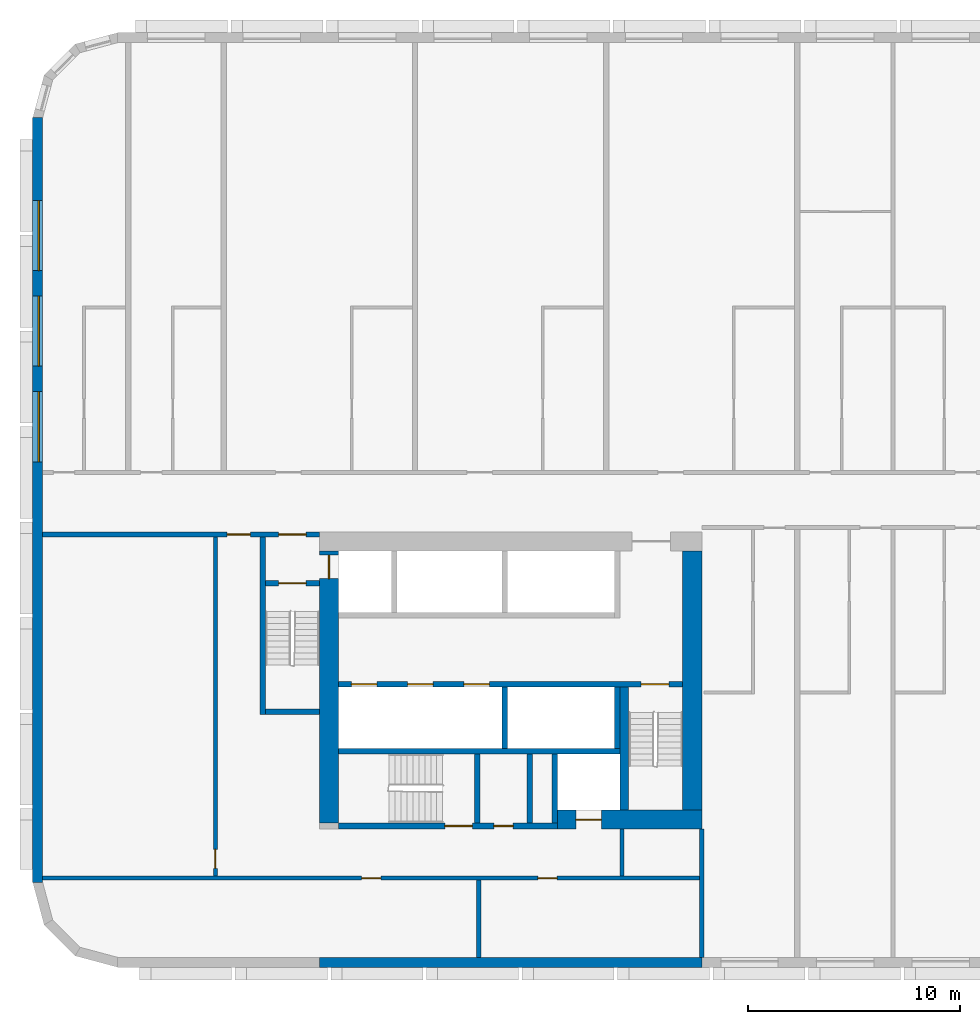
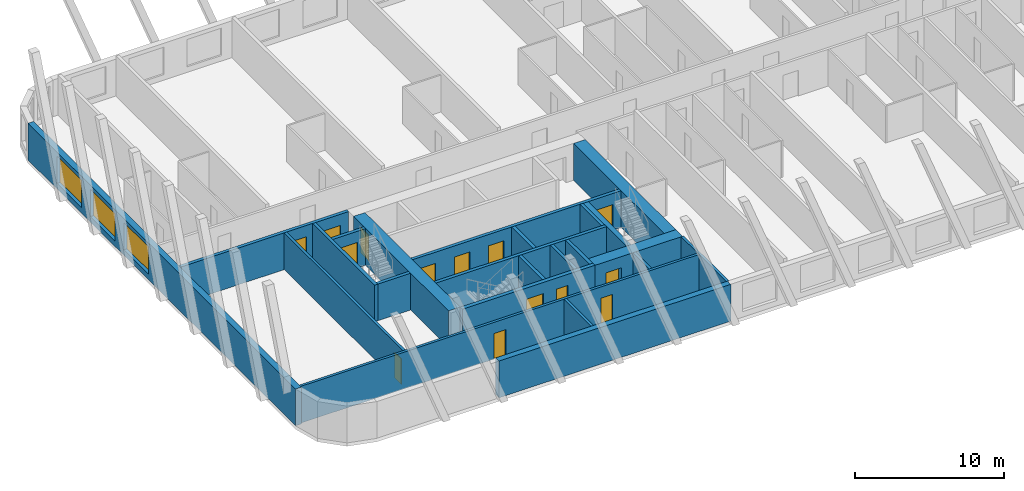
# One storey, part 2 of 13: 23 walls, 14 doors, 3 windows, 17 openings.
"""IFC4 building model written with IfcOpenShell, lengths in metres."""

import ifcopenshell
import ifcopenshell.guid

model = None  # the IFC model being written
_history = None  # IfcOwnerHistory: only IFC2X3 demands one
_inside = {}  # id of a spatial element -> (the spatial element, [elements in it])
_under = {}  # id of a project, library or spatial element -> (it, [spatial elements below it])
_declared = {}  # id of a project -> (the project, [libraries it declares])
_typed = {}  # id of a type object -> (the type object, [elements of that type])
_made_of = {}  # id of a material, layer set ... -> (it, [elements and type objects made of it])


def new_model(schema):
    """Start an empty IFC model of exactly this schema.

    Asked for "IFC4X3", IfcOpenShell would pick the latest addendum, in which some entities
    have other attributes; the version numbers below select the first issue.
    IFC2X3 requires an IfcOwnerHistory on every rooted entity: one is made here for all.
    """
    global model, _history
    if schema == "IFC4X3":
        model = ifcopenshell.file(schema_version=(4, 3, 0, 0))
    else:
        model = ifcopenshell.file(schema=schema)
    _inside.clear()
    _under.clear()
    _declared.clear()
    _typed.clear()
    _made_of.clear()
    _history = None
    if model.schema == "IFC2X3":
        org = make("IfcOrganization", Name="unknown")
        user = make(
            "IfcPersonAndOrganization",
            ThePerson=make("IfcPerson", FamilyName="unknown"),
            TheOrganization=org,
        )
        app = make(
            "IfcApplication",
            ApplicationDeveloper=org,
            Version="unknown",
            ApplicationFullName="unknown",
            ApplicationIdentifier="unknown",
        )
        _history = make(
            "IfcOwnerHistory",
            OwningUser=user,
            OwningApplication=app,
            ChangeAction="ADDED",
            CreationDate=0,
        )
    return model


def make(cls, **values):
    """One entity of the class cls with the attributes given. An attribute that is None is left unset."""
    return model.create_entity(
        cls, **{name: value for name, value in values.items() if value is not None}
    )


def rooted(cls, **values):
    """An entity with a GlobalId (a new one), such as an element, a storey or a relation."""
    return make(cls, GlobalId=ifcopenshell.guid.new(), OwnerHistory=_history, **values)


def si_unit(unit_type, name, prefix=None):
    """IfcSIUnit, for example si_unit("LENGTHUNIT", "METRE", prefix="MILLI")."""
    return make("IfcSIUnit", UnitType=unit_type, Prefix=prefix, Name=name)


def assignment(units):
    """IfcUnitAssignment: the units of a project."""
    return None if units is None else make("IfcUnitAssignment", Units=units)


def point(xyz):
    """IfcCartesianPoint."""
    return None if xyz is None else make("IfcCartesianPoint", Coordinates=xyz)


def direction(xyz):
    """IfcDirection."""
    return None if xyz is None else make("IfcDirection", DirectionRatios=xyz)


def frame(location, z_axis=None, x_axis=None):
    """IfcAxis2Placement3D, a coordinate frame: its origin and axes. An axis left out is left unset."""
    return make(
        "IfcAxis2Placement3D",
        Location=point(location),
        Axis=direction(z_axis),
        RefDirection=direction(x_axis),
    )


def frame_2d(location, x_axis=None):
    """IfcAxis2Placement2D, a coordinate frame in the plane: its origin and x axis."""
    return make(
        "IfcAxis2Placement2D", Location=point(location), RefDirection=direction(x_axis)
    )


def origin():
    """The frame at (0, 0, 0) with its axes left unset."""
    return frame((0.0, 0.0, 0.0))


def place(relative_to, where):
    """IfcLocalPlacement: puts the frame where relative to a parent placement (None: the world)."""
    return make(
        "IfcLocalPlacement", PlacementRelTo=relative_to, RelativePlacement=where
    )


def context(
    kind, dimensions, precision=None, world=None, true_north=None, identifier=None
):
    """IfcGeometricRepresentationContext, for example the 3D "Model" context."""
    return make(
        "IfcGeometricRepresentationContext",
        ContextIdentifier=identifier,
        ContextType=kind,
        CoordinateSpaceDimension=dimensions,
        Precision=precision,
        WorldCoordinateSystem=world,
        TrueNorth=true_north,
    )


def subcontext(parent, identifier, kind, view, scale=None):
    """IfcGeometricRepresentationSubContext, for example "Body" below "Model"."""
    return make(
        "IfcGeometricRepresentationSubContext",
        ContextIdentifier=identifier,
        ContextType=kind,
        ParentContext=parent,
        TargetScale=scale,
        TargetView=view,
    )


def project(units=None, contexts=None):
    """IfcProject with its units and contexts."""
    return rooted(
        "IfcProject",
        Name="project",
        RepresentationContexts=contexts,
        UnitsInContext=assignment(units),
    )


def spatial(cls, under=None, at=None, **own):
    """A site, building, storey or space (cls), placed at a placement, below another one or the project."""
    s = rooted(cls, ObjectPlacement=at, **own)
    if under is not None:
        _under.setdefault(under.id(), (under, []))[1].append(s)
    return s


def profile(cls, at=None, kind="AREA", **sizes):
    """A parametric profile (cls). Its sizes go by their IFC names, for example OverallWidth=200.0."""
    return make(cls, ProfileType=kind, Position=at, **sizes)


def rectangle(**sizes):
    """IfcRectangleProfileDef."""
    return profile("IfcRectangleProfileDef", **sizes)


def extrude(swept, where, along, depth):
    """IfcExtrudedAreaSolid: the profile swept, set in the frame where, extruded along a direction by depth."""
    return make(
        "IfcExtrudedAreaSolid",
        SweptArea=swept,
        Position=where,
        ExtrudedDirection=direction(along),
        Depth=depth,
    )


def shape(context_of_items, identifier, shape_type, items):
    """IfcShapeRepresentation: the items that make up one representation, for example the "Body"."""
    return make(
        "IfcShapeRepresentation",
        ContextOfItems=context_of_items,
        RepresentationIdentifier=identifier,
        RepresentationType=shape_type,
        Items=items,
    )


def material(Name=None, Category=None):
    """IfcMaterial."""
    return make("IfcMaterial", Name=Name, Category=Category)


def layer(
    of_material, thickness, ventilated=None, Name=None, Category=None, Priority=None
):
    """IfcMaterialLayer: one layer of a wall or slab, of a material (None: an air gap)."""
    return make(
        "IfcMaterialLayer",
        Material=of_material,
        LayerThickness=thickness,
        IsVentilated=ventilated,
        Name=Name,
        Category=Category,
        Priority=Priority,
    )


def layer_set(layers, Name=None):
    """IfcMaterialLayerSet."""
    return make("IfcMaterialLayerSet", MaterialLayers=layers, LayerSetName=Name)


def made_of(thing, what):
    """Note that an element or type object is made of a material, layer set ...; save() writes the relation."""
    if what is not None:
        _made_of.setdefault(what.id(), (what, []))[1].append(thing)
    return thing


def type_object(cls, material=None, **own):
    """A type object (cls), such as IfcWallType, which elements share."""
    return made_of(rooted(cls, **own), material)


def element(
    cls,
    number,
    at=None,
    inside=None,
    cuts=None,
    type_object=None,
    material=None,
    context=None,
    identifier="Body",
    shape_type=None,
    held_by="IfcProductDefinitionShape",
    body=None,
    shapes=None,
    **own,
):
    """One element of the class cls, such as IfcWall. Its Tag is "e" and its number.

    at: its placement. inside: the storey or other place that contains it. cuts: it is an
    opening in that element (IfcRelVoidsElement). A single representation is given by context,
    identifier, shape_type and body (its items); several are given by shapes. held_by: the class
    of the entity that holds the representations. save() writes the other relations.
    """
    e = rooted(cls, Tag="e%d" % number, ObjectPlacement=at, **own)
    if body is not None:
        shapes = [shape(context, identifier, shape_type, body)]
    if shapes is not None:
        e.Representation = make(held_by, Representations=shapes)
    if inside is not None:
        _inside.setdefault(inside.id(), (inside, []))[1].append(e)
    if cuts is not None:
        rooted(
            "IfcRelVoidsElement", RelatingBuildingElement=cuts, RelatedOpeningElement=e
        )
    if type_object is not None:
        _typed.setdefault(type_object.id(), (type_object, []))[1].append(e)
    return made_of(e, material)


def fill(opening, filler):
    """IfcRelFillsElement: the door or window that sits in an opening."""
    return rooted(
        "IfcRelFillsElement",
        RelatingOpeningElement=opening,
        RelatedBuildingElement=filler,
    )


def aggregate(whole, parts):
    """IfcRelAggregates: a whole, such as a stair, and the parts it consists of."""
    return rooted("IfcRelAggregates", RelatingObject=whole, RelatedObjects=parts)


def save(model, path):
    """Write the relations noted so far, then the file.

    IfcRelAggregates (storeys below a building ...), IfcRelContainedInSpatialStructure (elements
    in a storey), IfcRelDefinesByType, IfcRelAssociatesMaterial and IfcRelDeclares: one each for
    every whole, place, type object, material and project.
    """
    for whole, parts in _under.values():
        aggregate(whole, parts)
    for where, things in _inside.values():
        rooted(
            "IfcRelContainedInSpatialStructure",
            RelatedElements=things,
            RelatingStructure=where,
        )
    for kind, things in _typed.values():
        rooted("IfcRelDefinesByType", RelatedObjects=things, RelatingType=kind)
    for what, things in _made_of.values():
        rooted("IfcRelAssociatesMaterial", RelatedObjects=things, RelatingMaterial=what)
    for by, libraries in _declared.values():
        rooted("IfcRelDeclares", RelatingContext=by, RelatedDefinitions=libraries)
    model.write(path)


model = new_model("IFC4")

# Units and contexts
model_context = context("Model", 3, precision=1e-05, world=origin(), true_north=direction((0.0, 1.0)))
body_context = subcontext(model_context, "Body", "Model", "MODEL_VIEW")
ifc_project = project(units=[si_unit("LENGTHUNIT", "METRE"), si_unit("AREAUNIT", "SQUARE_METRE"), si_unit("VOLUMEUNIT", "CUBIC_METRE"), si_unit("PLANEANGLEUNIT", "RADIAN"), si_unit("MASSUNIT", "GRAM", prefix="KILO")], contexts=[model_context])

# Site, building, storey
site_placement = place(None, origin())
site = spatial("IfcSite", under=ifc_project, at=site_placement, CompositionType="ELEMENT")
building_placement = place(site_placement, origin())
building = spatial("IfcBuilding", under=site, at=building_placement, Name="Kajstack Hotel Tower", CompositionType="ELEMENT")
storey_placement = place(building_placement, frame((0.0, 0.0, 79.800048828125)))
storey = spatial("IfcBuildingStorey", under=building, at=storey_placement, Name="L15", CompositionType="ELEMENT", Elevation=79.800048828125)

# Wall, opening, door
ifc_material_1 = material(Name="Concrete C60/75", Category="concrete")
ifc_layer_1 = layer(ifc_material_1, 0.89990234375)
ifc_layer_set_1 = layer_set([ifc_layer_1], Name="Core wall 900")
wall_type_1 = type_object("IfcWallType", Name="Core wall 900", PredefinedType="SHEAR", material=ifc_layer_set_1)
wall_1_placement = place(storey_placement, frame((-20.300048828125, -15.050048828125, 0.0), z_axis=(0.0, 0.0, 1.0), x_axis=(1.0, 0.0, 0.0)))
wall_1 = element("IfcWall", 1, at=wall_1_placement, inside=storey, type_object=wall_type_1, Name="Core wall W RS", PredefinedType="SHEAR", context=body_context, shape_type="SweptSolid", body=[
    extrude(rectangle(XDim=6.800048828125, YDim=0.89990234375, at=frame_2d((3.39990234375, 0.0))), origin(), (0.0, 0.0, 1.0), 3.02001953125),
])
opening_1_placement = place(wall_1_placement, frame((0.875, 0.0, 0.0)))
opening_1 = element("IfcOpeningElement", 2, at=opening_1_placement, cuts=wall_1, Name="Opening LD-SV1", PredefinedType="OPENING", context=body_context, shape_type="SweptSolid", body=[
    extrude(rectangle(XDim=1.199951171875, YDim=2.10009765625, at=frame_2d((0.60009765625, 1.050048828125))), frame((0.0, 0.4599609375, 0.0), z_axis=(0.0, -1.0, 0.0), x_axis=(1.0, 0.0, 0.0)), (0.0, 0.0, 1.0), 0.919921875),
])
ifc_material_2 = material(Name="Stainless steel", Category="steel")
door_type_1 = type_object("IfcDoorType", Name="Lift landing door 1200", OperationType="SLIDING_TO_LEFT", PredefinedType="DOOR", material=ifc_material_2)
door_1_placement = place(opening_1_placement, origin())
door_1 = element("IfcDoor", 3, at=door_1_placement, inside=storey, type_object=door_type_1, Name="Landing door SV1", OperationType="SLIDING_TO_LEFT", OverallHeight=2.10009765625, OverallWidth=1.199951171875, PredefinedType="DOOR", context=body_context, shape_type="SweptSolid", body=[
    extrude(rectangle(XDim=1.199951171875, YDim=2.10009765625, at=frame_2d((0.60009765625, 1.050048828125))), frame((0.0, 0.02490234375, 0.0), z_axis=(0.0, -1.0, 0.0), x_axis=(1.0, 0.0, 0.0)), (0.0, 0.0, 1.0), 0.050048828125),
])
fill(opening_1, door_1)

wall_2_placement = place(storey_placement, frame((-31.050048828125, -15.199951171875, 0.0), z_axis=(0.0, 0.0, 1.0), x_axis=(0.0, 1.0, 0.0)))
wall_2 = element("IfcWall", 4, at=wall_2_placement, inside=storey, type_object=wall_type_1, Name="Core wall W RW", PredefinedType="SHEAR", context=body_context, shape_type="SweptSolid", body=[
    extrude(rectangle(XDim=12.800048828125, YDim=0.89990234375, at=frame_2d((6.39990234375, 0.0))), origin(), (0.0, 0.0, 1.0), 3.02001953125),
])
opening_2_placement = place(wall_2_placement, frame((11.5, 0.0, 0.0)))
opening_2 = element("IfcOpeningElement", 5, at=opening_2_placement, cuts=wall_2, Name="Opening LD-FF1", PredefinedType="OPENING", context=body_context, shape_type="SweptSolid", body=[
    extrude(rectangle(XDim=1.10009765625, YDim=2.10009765625, at=frame_2d((0.550048828125, 1.050048828125))), frame((0.0, 0.4599609375, 0.0), z_axis=(0.0, -1.0, 0.0), x_axis=(1.0, 0.0, 0.0)), (0.0, 0.0, 1.0), 0.919921875),
])
door_type_2 = type_object("IfcDoorType", Name="Fire-fighting lift landing door 1100", OperationType="SLIDING_TO_LEFT", PredefinedType="DOOR", material=ifc_material_2)
door_2_placement = place(opening_2_placement, origin())
door_2 = element("IfcDoor", 6, at=door_2_placement, inside=storey, type_object=door_type_2, Name="Landing door FF1", OperationType="SLIDING_TO_RIGHT", OverallHeight=2.10009765625, OverallWidth=1.10009765625, PredefinedType="DOOR", context=body_context, shape_type="SweptSolid", body=[
    extrude(rectangle(XDim=1.10009765625, YDim=2.10009765625, at=frame_2d((0.550048828125, 1.050048828125))), frame((0.0, 0.02490234375, 0.0), z_axis=(0.0, -1.0, 0.0), x_axis=(1.0, 0.0, 0.0)), (0.0, 0.0, 1.0), 0.050048828125),
])
fill(opening_2, door_2)

# Walls
wall_3_placement = place(storey_placement, frame((-13.949951171875, -14.60009765625, 0.0), z_axis=(0.0, 0.0, 1.0), x_axis=(0.0, 1.0, 0.0)))
element("IfcWall", 7, at=wall_3_placement, inside=storey, type_object=wall_type_1, Name="Core wall W RE", PredefinedType="SHEAR", context=body_context, shape_type="SweptSolid", body=[
    extrude(rectangle(XDim=12.2001953125, YDim=0.89990234375, at=frame_2d((6.10009765625, 0.0))), origin(), (0.0, 0.0, 1.0), 3.02001953125),
])
ifc_material_3 = material(Name="Twin-frame gypsum board on steel studs, mineral wool", Category="steel")
ifc_layer_2 = layer(ifc_material_3, 0.199951171875)
ifc_layer_set_2 = layer_set([ifc_layer_2], Name="Demising wall 200")
wall_type_2 = type_object("IfcWallType", Name="Demising wall 200", PredefinedType="PARTITIONING", material=ifc_layer_set_2)
wall_4_placement = place(storey_placement, frame((-13.5, -21.550048828125, 0.0), z_axis=(0.0, 0.0, 1.0), x_axis=(0.0, 1.0, 0.0)))
element("IfcWall", 8, at=wall_4_placement, inside=storey, type_object=wall_type_2, Name="G-wall-L15-002", PredefinedType="PARTITIONING", context=body_context, shape_type="SweptSolid", body=[
    extrude(rectangle(XDim=6.050048828125, YDim=0.199951171875, at=frame_2d((3.02490234375, 0.0))), origin(), (0.0, 0.0, 1.0), 3.02001953125),
])
ifc_material_4 = material(Name="Concrete C40/50", Category="concrete")
ifc_layer_3 = layer(ifc_material_4, 0.449951171875)
ifc_layer_set_3 = layer_set([ifc_layer_3], Name="EW-CORE")
wall_type_3 = type_object("IfcWallType", Name="EW-CORE", PredefinedType="SOLIDWALL", material=ifc_layer_set_3)
wall_5_placement = place(storey_placement, frame((-31.5, -21.77490234375, 0.0), z_axis=(0.0, 0.0, 1.0), x_axis=(1.0, 0.0, 0.0)))
element("IfcWall", 9, at=wall_5_placement, inside=storey, type_object=wall_type_3, Name="E-wall-L15-03-01", PredefinedType="SOLIDWALL", context=body_context, shape_type="SweptSolid", body=[
    extrude(rectangle(XDim=18.0, YDim=0.449951171875, at=frame_2d((9.0, 0.0))), origin(), (0.0, 0.0, 1.0), 3.02001953125),
])

# Wall, openings, windows
ifc_material_5 = material(Name="Terracotta-faced brick masonry", Category="masonry")
ifc_layer_4 = layer(ifc_material_5, 0.449951171875)
ifc_layer_set_4 = layer_set([ifc_layer_4], Name="EW-TERRA")
wall_type_4 = type_object("IfcWallType", Name="EW-TERRA", PredefinedType="SOLIDWALL", material=ifc_layer_set_4)
wall_6_placement = place(storey_placement, frame((-44.77490234375, 18.0, 0.0), z_axis=(0.0, 0.0, 1.0), x_axis=(0.0, -1.0, 0.0)))
wall_6 = element("IfcWall", 10, at=wall_6_placement, inside=storey, type_object=wall_type_4, Name="E-wall-L15-15-00", PredefinedType="SOLIDWALL", context=body_context, shape_type="SweptSolid", body=[
    extrude(rectangle(XDim=36.0, YDim=0.449951171875, at=frame_2d((18.0, 0.0))), origin(), (0.0, 0.0, 1.0), 3.02001953125),
])
opening_3_placement = place(wall_6_placement, frame((3.89990234375, 0.0, 0.449951171875)))
opening_3 = element("IfcOpeningElement", 11, at=opening_3_placement, cuts=wall_6, Name="Opening W2", PredefinedType="OPENING", context=body_context, shape_type="SweptSolid", body=[
    extrude(rectangle(XDim=3.300048828125, YDim=2.25, at=frame_2d((1.64990234375, 1.125))), frame((0.0, 0.23486328125, 0.0), z_axis=(0.0, -1.0, 0.0), x_axis=(1.0, 0.0, 0.0)), (0.0, 0.0, 1.0), 0.469970703125),
])
opening_4_placement = place(wall_6_placement, frame((8.39990234375, 0.0, 0.449951171875)))
opening_4 = element("IfcOpeningElement", 12, at=opening_4_placement, cuts=wall_6, Name="Opening W2", PredefinedType="OPENING", context=body_context, shape_type="SweptSolid", body=[
    extrude(rectangle(XDim=3.300048828125, YDim=2.25, at=frame_2d((1.64990234375, 1.125))), frame((0.0, 0.23486328125, 0.0), z_axis=(0.0, -1.0, 0.0), x_axis=(1.0, 0.0, 0.0)), (0.0, 0.0, 1.0), 0.469970703125),
])
opening_5_placement = place(wall_6_placement, frame((12.89990234375, 0.0, 0.449951171875)))
opening_5 = element("IfcOpeningElement", 13, at=opening_5_placement, cuts=wall_6, Name="Opening W2", PredefinedType="OPENING", context=body_context, shape_type="SweptSolid", body=[
    extrude(rectangle(XDim=3.300048828125, YDim=2.25, at=frame_2d((1.64990234375, 1.125))), frame((0.0, 0.23486328125, 0.0), z_axis=(0.0, -1.0, 0.0), x_axis=(1.0, 0.0, 0.0)), (0.0, 0.0, 1.0), 0.469970703125),
])
ifc_material_6 = material(Name="Timber-aluminium window, triple glazed", Category="wood")
window_type = type_object("IfcWindowType", Name="WG2", PartitioningType="SINGLE_PANEL", PredefinedType="WINDOW", material=ifc_material_6)
window_1_placement = place(opening_3_placement, origin())
window_1 = element("IfcWindow", 14, at=window_1_placement, inside=storey, type_object=window_type, Name="Window W2 L15-15", OverallHeight=2.25, OverallWidth=3.300048828125, PartitioningType="SINGLE_PANEL", PredefinedType="WINDOW", context=body_context, shape_type="SweptSolid", body=[
    extrude(rectangle(XDim=3.300048828125, YDim=2.25, at=frame_2d((1.64990234375, 1.125))), frame((0.0, 0.090087890625, 0.0), z_axis=(0.0, -1.0, 0.0), x_axis=(1.0, 0.0, 0.0)), (0.0, 0.0, 1.0), 0.06005859375),
])
fill(opening_3, window_1)
window_2_placement = place(opening_4_placement, origin())
window_2 = element("IfcWindow", 15, at=window_2_placement, inside=storey, type_object=window_type, Name="Window W2 L15-15", OverallHeight=2.25, OverallWidth=3.300048828125, PartitioningType="SINGLE_PANEL", PredefinedType="WINDOW", context=body_context, shape_type="SweptSolid", body=[
    extrude(rectangle(XDim=3.300048828125, YDim=2.25, at=frame_2d((1.64990234375, 1.125))), frame((0.0, 0.090087890625, 0.0), z_axis=(0.0, -1.0, 0.0), x_axis=(1.0, 0.0, 0.0)), (0.0, 0.0, 1.0), 0.06005859375),
])
fill(opening_4, window_2)
window_3_placement = place(opening_5_placement, origin())
window_3 = element("IfcWindow", 16, at=window_3_placement, inside=storey, type_object=window_type, Name="Window W2 L15-15", OverallHeight=2.25, OverallWidth=3.300048828125, PartitioningType="SINGLE_PANEL", PredefinedType="WINDOW", context=body_context, shape_type="SweptSolid", body=[
    extrude(rectangle(XDim=3.300048828125, YDim=2.25, at=frame_2d((1.64990234375, 1.125))), frame((0.0, 0.090087890625, 0.0), z_axis=(0.0, -1.0, 0.0), x_axis=(1.0, 0.0, 0.0)), (0.0, 0.0, 1.0), 0.06005859375),
])
fill(opening_5, window_3)

# Walls
ifc_material_7 = material(Name="Concrete C50/60", Category="concrete")
ifc_layer_5 = layer(ifc_material_7, 0.300048828125)
ifc_layer_set_5 = layer_set([ifc_layer_5], Name="Hoistway divider wall 300")
wall_type_5 = type_object("IfcWallType", Name="Hoistway divider wall 300", PredefinedType="SHEAR", material=ifc_layer_set_5)
wall_7_placement = place(storey_placement, frame((-22.77490234375, -11.699951171875, 0.0), z_axis=(0.0, 0.0, 1.0), x_axis=(0.0, 1.0, 0.0)))
element("IfcWall", 17, at=wall_7_placement, inside=storey, type_object=wall_type_5, Name="Core wall W BP2", PredefinedType="SHEAR", context=body_context, shape_type="SweptSolid", body=[
    extrude(rectangle(XDim=2.89990234375, YDim=0.25, at=frame_2d((1.449951171875, 0.0))), origin(), (0.0, 0.0, 1.0), 3.02001953125),
])
ifc_material_8 = material(Name="Concrete block masonry", Category="masonry")
ifc_layer_6 = layer(ifc_material_8, 0.25)
ifc_layer_set_6 = layer_set([ifc_layer_6], Name="Riser partition 250")
wall_type_6 = type_object("IfcWallType", Name="Riser partition 250", PredefinedType="PARTITIONING", material=ifc_layer_set_6)
wall_8_placement = place(storey_placement, frame((-21.60009765625, -15.199951171875, 0.0), z_axis=(0.0, 0.0, 1.0), x_axis=(0.0, 1.0, 0.0)))
element("IfcWall", 18, at=wall_8_placement, inside=storey, type_object=wall_type_6, Name="Partition W SZ0", PredefinedType="PARTITIONING", context=body_context, shape_type="SweptSolid", body=[
    extrude(rectangle(XDim=3.25, YDim=0.25, at=frame_2d((1.625, 0.0))), origin(), (0.0, 0.0, 1.0), 3.02001953125),
])

# Wall, openings, doors
ifc_material_9 = material(Name="Gypsum board on steel studs, mineral wool", Category="steel")
ifc_layer_7 = layer(ifc_material_9, 0.199951171875)
ifc_layer_set_7 = layer_set([ifc_layer_7], Name="Service partition 200")
wall_type_7 = type_object("IfcWallType", Name="Service partition 200", PredefinedType="PARTITIONING", material=ifc_layer_set_7)
wall_9_placement = place(storey_placement, frame((-44.550048828125, -1.625, 0.0), z_axis=(0.0, 0.0, 1.0), x_axis=(1.0, 0.0, 0.0)))
wall_9 = element("IfcWall", 19, at=wall_9_placement, inside=storey, type_object=wall_type_7, Name="Partition W SN", PredefinedType="PARTITIONING", context=body_context, shape_type="SweptSolid", body=[
    extrude(rectangle(XDim=13.050048828125, YDim=0.25, at=frame_2d((6.52490234375, 0.0))), origin(), (0.0, 0.0, 1.0), 3.02001953125),
])
opening_6_placement = place(wall_9_placement, frame((11.125, 0.0, 0.0)))
opening_6 = element("IfcOpeningElement", 20, at=opening_6_placement, cuts=wall_9, Name="Opening 15W07", PredefinedType="OPENING", context=body_context, shape_type="SweptSolid", body=[
    extrude(rectangle(XDim=1.300048828125, YDim=2.10009765625, at=frame_2d((0.64990234375, 1.050048828125))), frame((0.0, 0.135009765625, 0.0), z_axis=(0.0, -1.0, 0.0), x_axis=(1.0, 0.0, 0.0)), (0.0, 0.0, 1.0), 0.27001953125),
])
opening_7_placement = place(wall_9_placement, frame((8.699951171875, 0.0, 0.0)))
opening_7 = element("IfcOpeningElement", 21, at=opening_7_placement, cuts=wall_9, Name="Opening 15W09", PredefinedType="OPENING", context=body_context, shape_type="SweptSolid", body=[
    extrude(rectangle(XDim=1.10009765625, YDim=2.10009765625, at=frame_2d((0.550048828125, 1.050048828125))), frame((0.0, 0.135009765625, 0.0), z_axis=(0.0, -1.0, 0.0), x_axis=(1.0, 0.0, 0.0)), (0.0, 0.0, 1.0), 0.27001953125),
])
ifc_material_10 = material(Name="Steel leaf, fire-rated", Category="steel")
door_type_3 = type_object("IfcDoorType", Name="Fire lobby door 1300", OperationType="SINGLE_SWING_LEFT", PredefinedType="DOOR", material=ifc_material_10)
door_3_placement = place(opening_6_placement, origin())
door_3 = element("IfcDoor", 22, at=door_3_placement, inside=storey, type_object=door_type_3, Name="Door 15W07", OperationType="SINGLE_SWING_RIGHT", OverallHeight=2.10009765625, OverallWidth=1.300048828125, PredefinedType="DOOR", context=body_context, shape_type="SweptSolid", body=[
    extrude(rectangle(XDim=1.300048828125, YDim=2.10009765625, at=frame_2d((0.64990234375, 1.050048828125))), frame((0.0, 0.02490234375, 0.0), z_axis=(0.0, -1.0, 0.0), x_axis=(1.0, 0.0, 0.0)), (0.0, 0.0, 1.0), 0.050048828125),
])
fill(opening_6, door_3)
ifc_material_11 = material(Name="Timber leaf, fire-rated", Category="wood")
door_type_4 = type_object("IfcDoorType", Name="Service corridor door 1100", OperationType="SINGLE_SWING_LEFT", PredefinedType="DOOR", material=ifc_material_11)
door_4_placement = place(opening_7_placement, origin())
door_4 = element("IfcDoor", 23, at=door_4_placement, inside=storey, type_object=door_type_4, Name="Door 15W09", OperationType="SINGLE_SWING_RIGHT", OverallHeight=2.10009765625, OverallWidth=1.10009765625, PredefinedType="DOOR", context=body_context, shape_type="SweptSolid", body=[
    extrude(rectangle(XDim=1.10009765625, YDim=2.10009765625, at=frame_2d((0.550048828125, 1.050048828125))), frame((0.0, 0.02490234375, 0.0), z_axis=(0.0, -1.0, 0.0), x_axis=(1.0, 0.0, 0.0)), (0.0, 0.0, 1.0), 0.050048828125),
])
fill(opening_7, door_4)

# Wall
wall_10_placement = place(storey_placement, frame((-17.25, -17.699951171875, 0.0), z_axis=(0.0, 0.0, 1.0), x_axis=(0.0, 1.0, 0.0)))
element("IfcWall", 24, at=wall_10_placement, inside=storey, type_object=wall_type_7, Name="Partition W SCE", PredefinedType="PARTITIONING", context=body_context, shape_type="SweptSolid", body=[
    extrude(rectangle(XDim=2.199951171875, YDim=0.199951171875, at=frame_2d((1.10009765625, 0.0))), origin(), (0.0, 0.0, 1.0), 3.02001953125),
])

# Wall, opening, door
wall_11_placement = place(storey_placement, frame((-36.39990234375, -17.699951171875, 0.0), z_axis=(0.0, 0.0, 1.0), x_axis=(0.0, 1.0, 0.0)))
wall_11 = element("IfcWall", 25, at=wall_11_placement, inside=storey, type_object=wall_type_7, Name="Partition W WRE", PredefinedType="PARTITIONING", context=body_context, shape_type="SweptSolid", body=[
    extrude(rectangle(XDim=15.949951171875, YDim=0.199951171875, at=frame_2d((7.97509765625, 0.0))), origin(), (0.0, 0.0, 1.0), 3.02001953125),
])
opening_8_placement = place(wall_11_placement, frame((0.35009765625, 0.0, 0.0)))
opening_8 = element("IfcOpeningElement", 26, at=opening_8_placement, cuts=wall_11, Name="Opening 15W15", PredefinedType="OPENING", context=body_context, shape_type="SweptSolid", body=[
    extrude(rectangle(XDim=0.89990234375, YDim=2.10009765625, at=frame_2d((0.449951171875, 1.050048828125))), frame((0.0, 0.10986328125, 0.0), z_axis=(0.0, -1.0, 0.0), x_axis=(1.0, 0.0, 0.0)), (0.0, 0.0, 1.0), 0.219970703125),
])
door_type_5 = type_object("IfcDoorType", Name="Service door 900", OperationType="SINGLE_SWING_LEFT", PredefinedType="DOOR", material=ifc_material_11)
door_5_placement = place(opening_8_placement, origin())
door_5 = element("IfcDoor", 27, at=door_5_placement, inside=storey, type_object=door_type_5, Name="Door 15W15", OperationType="SINGLE_SWING_LEFT", OverallHeight=2.10009765625, OverallWidth=0.89990234375, PredefinedType="DOOR", context=body_context, shape_type="SweptSolid", body=[
    extrude(rectangle(XDim=0.89990234375, YDim=2.10009765625, at=frame_2d((0.449951171875, 1.050048828125))), frame((0.0, 0.02490234375, 0.0), z_axis=(0.0, -1.0, 0.0), x_axis=(1.0, 0.0, 0.0)), (0.0, 0.0, 1.0), 0.050048828125),
])
fill(opening_8, door_5)

# Wall, openings, doors
wall_12_placement = place(storey_placement, frame((-44.550048828125, -17.800048828125, 0.0), z_axis=(0.0, 0.0, 1.0), x_axis=(1.0, 0.0, 0.0)))
wall_12 = element("IfcWall", 28, at=wall_12_placement, inside=storey, type_object=wall_type_7, Name="Partition W SLN", PredefinedType="PARTITIONING", context=body_context, shape_type="SweptSolid", body=[
    extrude(rectangle(XDim=30.949951171875, YDim=0.199951171875, at=frame_2d((15.47509765625, 0.0))), origin(), (0.0, 0.0, 1.0), 3.02001953125),
])
opening_9_placement = place(wall_12_placement, frame((15.03759765625, 0.0, 0.0)))
opening_9 = element("IfcOpeningElement", 29, at=opening_9_placement, cuts=wall_12, Name="Opening 15W13", PredefinedType="OPENING", context=body_context, shape_type="SweptSolid", body=[
    extrude(rectangle(XDim=0.89990234375, YDim=2.10009765625, at=frame_2d((0.449951171875, 1.050048828125))), frame((0.0, 0.10986328125, 0.0), z_axis=(0.0, -1.0, 0.0), x_axis=(1.0, 0.0, 0.0)), (0.0, 0.0, 1.0), 0.219970703125),
])
opening_10_placement = place(wall_12_placement, frame((23.33740234375, 0.0, 0.0)))
opening_10 = element("IfcOpeningElement", 30, at=opening_10_placement, cuts=wall_12, Name="Opening 15W14", PredefinedType="OPENING", context=body_context, shape_type="SweptSolid", body=[
    extrude(rectangle(XDim=0.89990234375, YDim=2.10009765625, at=frame_2d((0.449951171875, 1.050048828125))), frame((0.0, 0.10986328125, 0.0), z_axis=(0.0, -1.0, 0.0), x_axis=(1.0, 0.0, 0.0)), (0.0, 0.0, 1.0), 0.219970703125),
])
door_6_placement = place(opening_9_placement, origin())
door_6 = element("IfcDoor", 31, at=door_6_placement, inside=storey, type_object=door_type_5, Name="Door 15W13", OperationType="SINGLE_SWING_RIGHT", OverallHeight=2.10009765625, OverallWidth=0.89990234375, PredefinedType="DOOR", context=body_context, shape_type="SweptSolid", body=[
    extrude(rectangle(XDim=0.89990234375, YDim=2.10009765625, at=frame_2d((0.449951171875, 1.050048828125))), frame((0.0, 0.02490234375, 0.0), z_axis=(0.0, -1.0, 0.0), x_axis=(1.0, 0.0, 0.0)), (0.0, 0.0, 1.0), 0.050048828125),
])
fill(opening_9, door_6)
door_7_placement = place(opening_10_placement, origin())
door_7 = element("IfcDoor", 32, at=door_7_placement, inside=storey, type_object=door_type_5, Name="Door 15W14", OperationType="SINGLE_SWING_RIGHT", OverallHeight=2.10009765625, OverallWidth=0.89990234375, PredefinedType="DOOR", context=body_context, shape_type="SweptSolid", body=[
    extrude(rectangle(XDim=0.89990234375, YDim=2.10009765625, at=frame_2d((0.449951171875, 1.050048828125))), frame((0.0, 0.02490234375, 0.0), z_axis=(0.0, -1.0, 0.0), x_axis=(1.0, 0.0, 0.0)), (0.0, 0.0, 1.0), 0.050048828125),
])
fill(opening_10, door_7)

# Wall
wall_13_placement = place(storey_placement, frame((-24.0, -21.550048828125, 0.0), z_axis=(0.0, 0.0, 1.0), x_axis=(0.0, 1.0, 0.0)))
element("IfcWall", 33, at=wall_13_placement, inside=storey, type_object=wall_type_7, Name="Partition W SLP0", PredefinedType="PARTITIONING", context=body_context, shape_type="SweptSolid", body=[
    extrude(rectangle(XDim=3.650146484375, YDim=0.199951171875, at=frame_2d((1.8251953125, 0.0))), origin(), (0.0, 0.0, 1.0), 3.02001953125),
])

# Wall, openings, doors
ifc_layer_8 = layer(ifc_material_7, 0.25)
ifc_layer_set_8 = layer_set([ifc_layer_8], Name="Shaft wall 250")
wall_type_8 = type_object("IfcWallType", Name="Shaft wall 250", PredefinedType="SHEAR", material=ifc_layer_set_8)
wall_14_placement = place(storey_placement, frame((-30.60009765625, -15.35009765625, 0.0), z_axis=(0.0, 0.0, 1.0), x_axis=(1.0, 0.0, 0.0)))
wall_14 = element("IfcWall", 34, at=wall_14_placement, inside=storey, type_object=wall_type_8, Name="Core wall W RSS", PredefinedType="SHEAR", context=body_context, shape_type="SweptSolid", body=[
    extrude(rectangle(XDim=10.300048828125, YDim=0.300048828125, at=frame_2d((5.14990234375, 0.0))), origin(), (0.0, 0.0, 1.0), 3.02001953125),
])
opening_11_placement = place(wall_14_placement, frame((5.0, 0.0, 0.0)))
opening_11 = element("IfcOpeningElement", 35, at=opening_11_placement, cuts=wall_14, Name="Opening 15W11", PredefinedType="OPENING", context=body_context, shape_type="SweptSolid", body=[
    extrude(rectangle(XDim=1.300048828125, YDim=2.10009765625, at=frame_2d((0.64990234375, 1.050048828125))), frame((0.0, 0.159912109375, 0.0), z_axis=(0.0, -1.0, 0.0), x_axis=(1.0, 0.0, 0.0)), (0.0, 0.0, 1.0), 0.320068359375),
])
opening_12_placement = place(wall_14_placement, frame((7.3125, 0.0, 0.0)))
opening_12 = element("IfcOpeningElement", 36, at=opening_12_placement, cuts=wall_14, Name="Opening 15W12", PredefinedType="OPENING", context=body_context, shape_type="SweptSolid", body=[
    extrude(rectangle(XDim=0.89990234375, YDim=2.10009765625, at=frame_2d((0.449951171875, 1.050048828125))), frame((0.0, 0.159912109375, 0.0), z_axis=(0.0, -1.0, 0.0), x_axis=(1.0, 0.0, 0.0)), (0.0, 0.0, 1.0), 0.320068359375),
])
door_8_placement = place(opening_12_placement, origin())
door_8 = element("IfcDoor", 37, at=door_8_placement, inside=storey, type_object=door_type_5, Name="Door 15W12", OperationType="SINGLE_SWING_LEFT", OverallHeight=2.10009765625, OverallWidth=0.89990234375, PredefinedType="DOOR", context=body_context, shape_type="SweptSolid", body=[
    extrude(rectangle(XDim=0.89990234375, YDim=2.10009765625, at=frame_2d((0.449951171875, 1.050048828125))), frame((0.0, 0.02490234375, 0.0), z_axis=(0.0, -1.0, 0.0), x_axis=(1.0, 0.0, 0.0)), (0.0, 0.0, 1.0), 0.050048828125),
])
fill(opening_12, door_8)
door_type_6 = type_object("IfcDoorType", Name="Stair door 1300", OperationType="SINGLE_SWING_LEFT", PredefinedType="DOOR", material=ifc_material_10)
door_9_placement = place(opening_11_placement, origin())
door_9 = element("IfcDoor", 38, at=door_9_placement, inside=storey, type_object=door_type_6, Name="Door 15W11", OperationType="SINGLE_SWING_RIGHT", OverallHeight=2.10009765625, OverallWidth=1.300048828125, PredefinedType="DOOR", context=body_context, shape_type="SweptSolid", body=[
    extrude(rectangle(XDim=1.300048828125, YDim=2.10009765625, at=frame_2d((0.64990234375, 1.050048828125))), frame((0.0, 0.02490234375, 0.0), z_axis=(0.0, -1.0, 0.0), x_axis=(1.0, 0.0, 0.0)), (0.0, 0.0, 1.0), 0.050048828125),
])
fill(opening_11, door_9)

wall_15_placement = place(storey_placement, frame((-30.60009765625, -8.675048828125, 0.0), z_axis=(0.0, 0.0, 1.0), x_axis=(1.0, 0.0, 0.0)))
wall_15 = element("IfcWall", 39, at=wall_15_placement, inside=storey, type_object=wall_type_8, Name="Core wall W FB", PredefinedType="SHEAR", context=body_context, shape_type="SweptSolid", body=[
    extrude(rectangle(XDim=16.2001953125, YDim=0.25, at=frame_2d((8.10009765625, 0.0))), origin(), (0.0, 0.0, 1.0), 3.02001953125),
])
opening_13_placement = place(wall_15_placement, frame((0.60009765625, 0.0, 0.0)))
opening_13 = element("IfcOpeningElement", 40, at=opening_13_placement, cuts=wall_15, Name="Opening LD-LR1", PredefinedType="OPENING", context=body_context, shape_type="SweptSolid", body=[
    extrude(rectangle(XDim=1.199951171875, YDim=2.10009765625, at=frame_2d((0.60009765625, 1.050048828125))), frame((0.0, 0.135009765625, 0.0), z_axis=(0.0, -1.0, 0.0), x_axis=(1.0, 0.0, 0.0)), (0.0, 0.0, 1.0), 0.27001953125),
])
opening_14_placement = place(wall_15_placement, frame((3.25, 0.0, 0.0)))
opening_14 = element("IfcOpeningElement", 41, at=opening_14_placement, cuts=wall_15, Name="Opening LD-LR2", PredefinedType="OPENING", context=body_context, shape_type="SweptSolid", body=[
    extrude(rectangle(XDim=1.199951171875, YDim=2.10009765625, at=frame_2d((0.60009765625, 1.050048828125))), frame((0.0, 0.135009765625, 0.0), z_axis=(0.0, -1.0, 0.0), x_axis=(1.0, 0.0, 0.0)), (0.0, 0.0, 1.0), 0.27001953125),
])
opening_15_placement = place(wall_15_placement, frame((5.89990234375, 0.0, 0.0)))
opening_15 = element("IfcOpeningElement", 42, at=opening_15_placement, cuts=wall_15, Name="Opening LD-LR3", PredefinedType="OPENING", context=body_context, shape_type="SweptSolid", body=[
    extrude(rectangle(XDim=1.199951171875, YDim=2.10009765625, at=frame_2d((0.60009765625, 1.050048828125))), frame((0.0, 0.135009765625, 0.0), z_axis=(0.0, -1.0, 0.0), x_axis=(1.0, 0.0, 0.0)), (0.0, 0.0, 1.0), 0.27001953125),
])
opening_16_placement = place(wall_15_placement, frame((14.25, 0.0, 0.0)))
opening_16 = element("IfcOpeningElement", 43, at=opening_16_placement, cuts=wall_15, Name="Opening 15W10", PredefinedType="OPENING", context=body_context, shape_type="SweptSolid", body=[
    extrude(rectangle(XDim=1.300048828125, YDim=2.10009765625, at=frame_2d((0.64990234375, 1.050048828125))), frame((0.0, 0.135009765625, 0.0), z_axis=(0.0, -1.0, 0.0), x_axis=(1.0, 0.0, 0.0)), (0.0, 0.0, 1.0), 0.27001953125),
])
door_10_placement = place(opening_13_placement, origin())
door_10 = element("IfcDoor", 44, at=door_10_placement, inside=storey, type_object=door_type_1, Name="Landing door LR1", OperationType="SLIDING_TO_LEFT", OverallHeight=2.10009765625, OverallWidth=1.199951171875, PredefinedType="DOOR", context=body_context, shape_type="SweptSolid", body=[
    extrude(rectangle(XDim=1.199951171875, YDim=2.10009765625, at=frame_2d((0.60009765625, 1.050048828125))), frame((0.0, 0.02490234375, 0.0), z_axis=(0.0, -1.0, 0.0), x_axis=(1.0, 0.0, 0.0)), (0.0, 0.0, 1.0), 0.050048828125),
])
fill(opening_13, door_10)
door_11_placement = place(opening_14_placement, origin())
door_11 = element("IfcDoor", 45, at=door_11_placement, inside=storey, type_object=door_type_1, Name="Landing door LR2", OperationType="SLIDING_TO_RIGHT", OverallHeight=2.10009765625, OverallWidth=1.199951171875, PredefinedType="DOOR", context=body_context, shape_type="SweptSolid", body=[
    extrude(rectangle(XDim=1.199951171875, YDim=2.10009765625, at=frame_2d((0.60009765625, 1.050048828125))), frame((0.0, 0.02490234375, 0.0), z_axis=(0.0, -1.0, 0.0), x_axis=(1.0, 0.0, 0.0)), (0.0, 0.0, 1.0), 0.050048828125),
])
fill(opening_14, door_11)
door_12_placement = place(opening_15_placement, origin())
door_12 = element("IfcDoor", 46, at=door_12_placement, inside=storey, type_object=door_type_1, Name="Landing door LR3", OperationType="SLIDING_TO_RIGHT", OverallHeight=2.10009765625, OverallWidth=1.199951171875, PredefinedType="DOOR", context=body_context, shape_type="SweptSolid", body=[
    extrude(rectangle(XDim=1.199951171875, YDim=2.10009765625, at=frame_2d((0.60009765625, 1.050048828125))), frame((0.0, 0.02490234375, 0.0), z_axis=(0.0, -1.0, 0.0), x_axis=(1.0, 0.0, 0.0)), (0.0, 0.0, 1.0), 0.050048828125),
])
fill(opening_15, door_12)
door_13_placement = place(opening_16_placement, origin())
door_13 = element("IfcDoor", 47, at=door_13_placement, inside=storey, type_object=door_type_6, Name="Door 15W10", OperationType="SINGLE_SWING_RIGHT", OverallHeight=2.10009765625, OverallWidth=1.300048828125, PredefinedType="DOOR", context=body_context, shape_type="SweptSolid", body=[
    extrude(rectangle(XDim=1.300048828125, YDim=2.10009765625, at=frame_2d((0.64990234375, 1.050048828125))), frame((0.0, 0.02490234375, 0.0), z_axis=(0.0, -1.0, 0.0), x_axis=(1.0, 0.0, 0.0)), (0.0, 0.0, 1.0), 0.050048828125),
])
fill(opening_16, door_13)

# Walls
wall_16_placement = place(storey_placement, frame((-30.60009765625, -11.824951171875, 0.0), z_axis=(0.0, 0.0, 1.0), x_axis=(1.0, 0.0, 0.0)))
element("IfcWall", 48, at=wall_16_placement, inside=storey, type_object=wall_type_8, Name="Core wall W RB", PredefinedType="SHEAR", context=body_context, shape_type="SweptSolid", body=[
    extrude(rectangle(XDim=13.25, YDim=0.25, at=frame_2d((6.625, 0.0))), origin(), (0.0, 0.0, 1.0), 3.02001953125),
])
wall_17_placement = place(storey_placement, frame((-17.47509765625, -11.699951171875, 0.0), z_axis=(0.0, 0.0, 1.0), x_axis=(0.0, 1.0, 0.0)))
element("IfcWall", 49, at=wall_17_placement, inside=storey, type_object=wall_type_8, Name="Core wall W BE", PredefinedType="SHEAR", context=body_context, shape_type="SweptSolid", body=[
    extrude(rectangle(XDim=2.89990234375, YDim=0.25, at=frame_2d((1.449951171875, 0.0))), origin(), (0.0, 0.0, 1.0), 3.02001953125),
])
wall_18_placement = place(storey_placement, frame((-20.425048828125, -15.199951171875, 0.0), z_axis=(0.0, 0.0, 1.0), x_axis=(0.0, 1.0, 0.0)))
element("IfcWall", 50, at=wall_18_placement, inside=storey, type_object=wall_type_8, Name="Core wall W SVW", PredefinedType="SHEAR", context=body_context, shape_type="SweptSolid", body=[
    extrude(rectangle(XDim=3.25, YDim=0.25, at=frame_2d((1.625, 0.0))), origin(), (0.0, 0.0, 1.0), 3.02001953125),
])

# Wall, opening, door
ifc_layer_9 = layer(ifc_material_4, 0.25)
ifc_layer_set_9 = layer_set([ifc_layer_9], Name="Stair enclosure wall 250")
wall_type_9 = type_object("IfcWallType", Name="Stair enclosure wall 250", PredefinedType="SHEAR", material=ifc_layer_set_9)
wall_19_placement = place(storey_placement, frame((-34.050048828125, -3.925048828125, 0.0), z_axis=(0.0, 0.0, 1.0), x_axis=(1.0, 0.0, 0.0)))
wall_19 = element("IfcWall", 51, at=wall_19_placement, inside=storey, type_object=wall_type_9, Name="Core wall W W1N", PredefinedType="SHEAR", context=body_context, shape_type="SweptSolid", body=[
    extrude(rectangle(XDim=2.550048828125, YDim=0.25, at=frame_2d((1.27490234375, 0.0))), origin(), (0.0, 0.0, 1.0), 3.02001953125),
])
opening_17_placement = place(wall_19_placement, frame((0.625, 0.0, 0.0)))
opening_17 = element("IfcOpeningElement", 52, at=opening_17_placement, cuts=wall_19, Name="Opening 15W08", PredefinedType="OPENING", context=body_context, shape_type="SweptSolid", body=[
    extrude(rectangle(XDim=1.300048828125, YDim=2.10009765625, at=frame_2d((0.64990234375, 1.050048828125))), frame((0.0, 0.135009765625, 0.0), z_axis=(0.0, -1.0, 0.0), x_axis=(1.0, 0.0, 0.0)), (0.0, 0.0, 1.0), 0.27001953125),
])
door_14_placement = place(opening_17_placement, origin())
door_14 = element("IfcDoor", 53, at=door_14_placement, inside=storey, type_object=door_type_6, Name="Door 15W08", OperationType="SINGLE_SWING_RIGHT", OverallHeight=2.10009765625, OverallWidth=1.300048828125, PredefinedType="DOOR", context=body_context, shape_type="SweptSolid", body=[
    extrude(rectangle(XDim=1.300048828125, YDim=2.10009765625, at=frame_2d((0.64990234375, 1.050048828125))), frame((0.0, 0.02490234375, 0.0), z_axis=(0.0, -1.0, 0.0), x_axis=(1.0, 0.0, 0.0)), (0.0, 0.0, 1.0), 0.050048828125),
])
fill(opening_17, door_14)

# Walls
wall_20_placement = place(storey_placement, frame((-34.175048828125, -10.10009765625, 0.0), z_axis=(0.0, 0.0, 1.0), x_axis=(0.0, 1.0, 0.0)))
element("IfcWall", 54, at=wall_20_placement, inside=storey, type_object=wall_type_9, Name="Core wall W W1W", PredefinedType="SHEAR", context=body_context, shape_type="SweptSolid", body=[
    extrude(rectangle(XDim=8.35009765625, YDim=0.25, at=frame_2d((4.175048828125, 0.0))), origin(), (0.0, 0.0, 1.0), 3.02001953125),
])
wall_21_placement = place(storey_placement, frame((-34.050048828125, -9.97509765625, 0.0), z_axis=(0.0, 0.0, 1.0), x_axis=(1.0, 0.0, 0.0)))
element("IfcWall", 55, at=wall_21_placement, inside=storey, type_object=wall_type_9, Name="Core wall W W1S", PredefinedType="SHEAR", context=body_context, shape_type="SweptSolid", body=[
    extrude(rectangle(XDim=2.550048828125, YDim=0.25, at=frame_2d((1.27490234375, 0.0))), origin(), (0.0, 0.0, 1.0), 3.02001953125),
])
ifc_layer_10 = layer(ifc_material_7, 0.35009765625)
ifc_layer_set_10 = layer_set([ifc_layer_10], Name="Stair enclosure wall 350")
wall_type_10 = type_object("IfcWallType", Name="Stair enclosure wall 350", PredefinedType="SHEAR", material=ifc_layer_set_10)
wall_22_placement = place(storey_placement, frame((-24.074951171875, -15.199951171875, 0.0), z_axis=(0.0, 0.0, 1.0), x_axis=(0.0, 1.0, 0.0)))
element("IfcWall", 56, at=wall_22_placement, inside=storey, type_object=wall_type_10, Name="Core wall W W3E", PredefinedType="SHEAR", context=body_context, shape_type="SweptSolid", body=[
    extrude(rectangle(XDim=3.25, YDim=0.25, at=frame_2d((1.625, 0.0))), origin(), (0.0, 0.0, 1.0), 3.02001953125),
])
ifc_layer_11 = layer(ifc_material_7, 0.39990234375)
ifc_layer_set_11 = layer_set([ifc_layer_11], Name="Stair wall 400")
wall_type_11 = type_object("IfcWallType", Name="Stair wall 400", PredefinedType="SHEAR", material=ifc_layer_set_11)
wall_23_placement = place(storey_placement, frame((-17.14990234375, -14.60009765625, 0.0), z_axis=(0.0, 0.0, 1.0), x_axis=(0.0, 1.0, 0.0)))
element("IfcWall", 57, at=wall_23_placement, inside=storey, type_object=wall_type_11, Name="Core wall W WW2", PredefinedType="SHEAR", context=body_context, shape_type="SweptSolid", body=[
    extrude(rectangle(XDim=5.800048828125, YDim=0.39990234375, at=frame_2d((2.89990234375, 0.0))), origin(), (0.0, 0.0, 1.0), 3.02001953125),
])

save(model, "model.ifc")
